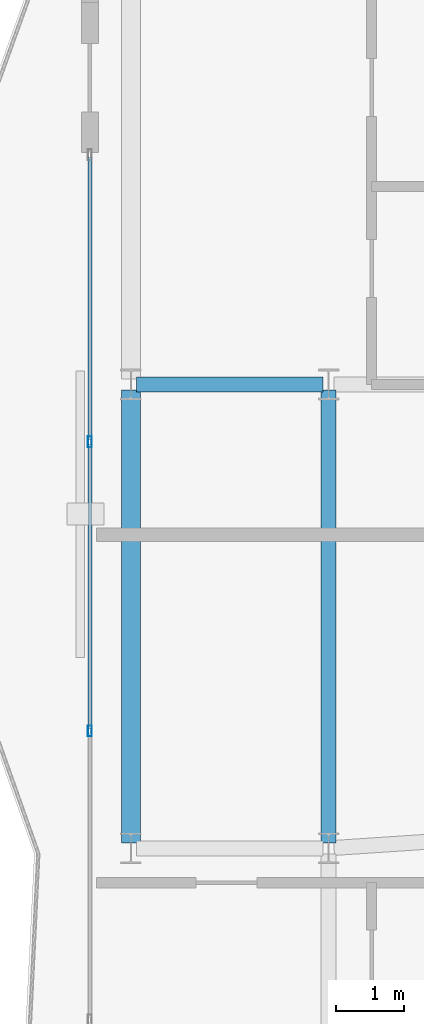
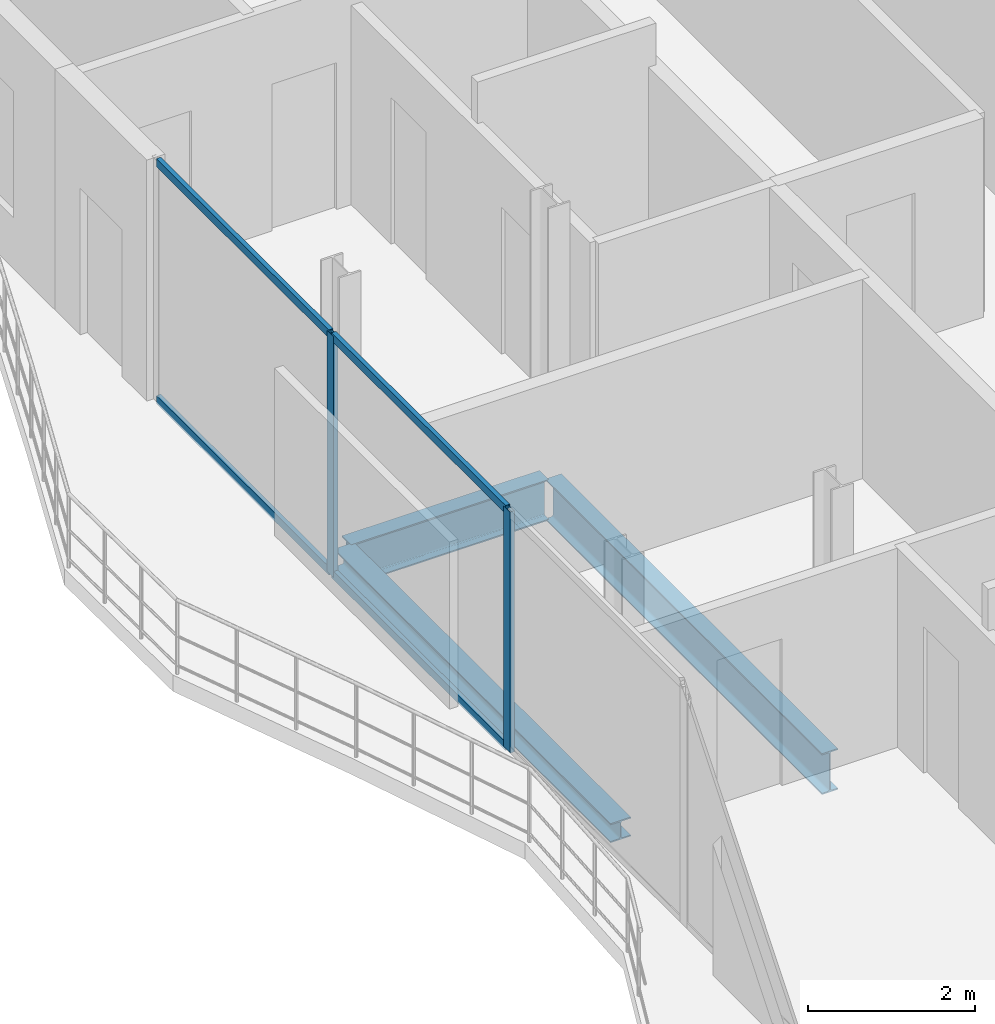
# One storey, part 10 of 22: 6 members, 3 beams, 1 element without a shape of its own.
"""IFC4 building model written with IfcOpenShell, lengths in metres."""

from ifc_helpers import new_model, si_unit, direction, frame, origin, origin_2d, place, context, subcontext, project, spatial, hollow_rectangle, i_section, extrude, material, layer, layer_set, material_profile, profile_set, type_object, element, aggregate, save


model = new_model("IFC4")

# Units and contexts
model_context = context("Model", 3, precision=1e-05, world=origin(), true_north=direction((0.0, 1.0)))
body_context = subcontext(model_context, "Body", "Model", "MODEL_VIEW")
ifc_project = project(units=[si_unit("LENGTHUNIT", "METRE"), si_unit("AREAUNIT", "SQUARE_METRE"), si_unit("VOLUMEUNIT", "CUBIC_METRE"), si_unit("PLANEANGLEUNIT", "RADIAN"), si_unit("MASSUNIT", "GRAM", prefix="KILO")], contexts=[model_context])

# Site, building, storey
site_placement = place(None, origin())
site = spatial("IfcSite", under=ifc_project, at=site_placement, CompositionType="ELEMENT")
building_placement = place(site_placement, origin())
building = spatial("IfcBuilding", under=site, at=building_placement, Name="Catumbela Crestline Tower", CompositionType="ELEMENT")
storey_placement = place(building_placement, frame((0.0, 0.0, 226.0)))
storey = spatial("IfcBuildingStorey", under=building, at=storey_placement, Name="L58", CompositionType="ELEMENT", Elevation=226.0)

# Beams
ifc_material_1 = material(Name="Structural steel S355J2", Category="steel")
ifc_material_profile_1 = material_profile(ifc_material_1, i_section(OverallWidth=0.22, OverallDepth=0.6, WebThickness=0.012, FlangeThickness=0.019, FilletRadius=0.024, at=origin_2d()), Name="IPE 600")
ifc_profile_set_1 = profile_set([ifc_material_profile_1], Name="Structural steel S355J2")
beam_type_1 = type_object("IfcBeamType", Name="BG-IPE600", PredefinedType="BEAM", material=ifc_profile_set_1)
beam_1_placement = place(storey_placement, frame((5.68, 30.8, -0.56), z_axis=(1.0, 0.0, 0.0), x_axis=(0.0, 1.0, 0.0)))
element("IfcBeam", 1, at=beam_1_placement, inside=storey, type_object=beam_type_1, Name="L58 Beam BM-L58-M06", PredefinedType="BEAM", context=body_context, shape_type="SweptSolid", body=[
    extrude(i_section(OverallWidth=0.22, OverallDepth=0.6, WebThickness=0.012, FlangeThickness=0.019, FilletRadius=0.024, at=origin_2d()), origin(), (0.0, 0.0, 1.0), 2.74),
])
beam_2_placement = place(storey_placement, frame((8.5, 24.08, -0.56), z_axis=(0.0, 1.0, 0.0), x_axis=(-1.0, 0.0, 0.0)))
element("IfcBeam", 2, at=beam_2_placement, inside=storey, type_object=beam_type_1, Name="L58 Beam BM-L58-SN14", PredefinedType="BEAM", context=body_context, shape_type="SweptSolid", body=[
    extrude(i_section(OverallWidth=0.22, OverallDepth=0.6, WebThickness=0.012, FlangeThickness=0.019, FilletRadius=0.024, at=origin_2d()), origin(), (0.0, 0.0, 1.0), 6.64),
])

# Curtain wall, members
ifc_material_2 = material(Name="Aluminium alloy AW-6060-T66", Category="aluminium")
ifc_layer = layer(ifc_material_2, 0.18, Name="Aluminium alloy AW-6060-T66")
ifc_layer_set = layer_set([ifc_layer], Name="Aluminium alloy AW-6060-T66")
curtain_wall_type = type_object("IfcCurtainWallType", Name="CWU-Z4", PredefinedType="USERDEFINED", material=ifc_layer_set)
curtain_wall_placement = place(storey_placement, origin())
curtain_wall = element("IfcCurtainWall", 3, at=curtain_wall_placement, inside=storey, type_object=curtain_wall_type, Name="L58 Unitised Curtain Wall CW-L58-E9S2", ObjectType="UNITISED", PredefinedType="USERDEFINED")
ifc_material_profile_2 = material_profile(ifc_material_2, hollow_rectangle(XDim=0.06, YDim=0.16, WallThickness=0.004, at=origin_2d()), Name="ALU 160x60x4")
ifc_profile_set_2 = profile_set([ifc_material_profile_2], Name="Aluminium alloy AW-6060-T66")
member_type_1 = type_object("IfcMemberType", Name="MUL-160X60", PredefinedType="MULLION", material=ifc_profile_set_2)
member_1_placement = place(storey_placement, frame((5.0, 29.96, 0.0), z_axis=(0.0, 0.0, 1.0), x_axis=(1.0, 0.0, 0.0)))
member_1 = element("IfcMember", 4, at=member_1_placement, type_object=member_type_1, Name="CWU-Z4 mullion 2", PredefinedType="MULLION", context=body_context, shape_type="SweptSolid", body=[
    extrude(hollow_rectangle(XDim=0.06, YDim=0.16, WallThickness=0.004, at=origin_2d()), origin(), (0.0, 0.0, 1.0), 3.53),
])
member_2_placement = place(storey_placement, frame((5.0, 25.72, 0.0), z_axis=(0.0, 0.0, 1.0), x_axis=(1.0, 0.0, 0.0)))
member_2 = element("IfcMember", 5, at=member_2_placement, type_object=member_type_1, Name="CWU-Z4 mullion 3", PredefinedType="MULLION", context=body_context, shape_type="SweptSolid", body=[
    extrude(hollow_rectangle(XDim=0.06, YDim=0.16, WallThickness=0.004, at=origin_2d()), origin(), (0.0, 0.0, 1.0), 3.53),
])

# Beam
ifc_material_profile_3 = material_profile(ifc_material_1, i_section(OverallWidth=0.28, OverallDepth=0.28, WebThickness=0.0105, FlangeThickness=0.018, FilletRadius=0.024, at=origin_2d()), Name="HEB 280")
ifc_profile_set_3 = profile_set([ifc_material_profile_3], Name="Structural steel S355J2")
beam_type_2 = type_object("IfcBeamType", Name="BS-HEB280", PredefinedType="SPANDREL", material=ifc_profile_set_3)
beam_3_placement = place(storey_placement, frame((5.6, 24.08, -0.4), z_axis=(0.0, 1.0, 0.0), x_axis=(-1.0, 0.0, 0.0)))
element("IfcBeam", 6, at=beam_3_placement, inside=storey, type_object=beam_type_2, Name="L58 Spandrel SP-L58-SN12", PredefinedType="SPANDREL", context=body_context, shape_type="SweptSolid", body=[
    extrude(i_section(OverallWidth=0.28, OverallDepth=0.28, WebThickness=0.0105, FlangeThickness=0.018, FilletRadius=0.024, at=origin_2d()), origin(), (0.0, 0.0, 1.0), 6.64),
])

# Member
ifc_material_profile_4 = material_profile(ifc_material_2, hollow_rectangle(XDim=0.06, YDim=0.12, WallThickness=0.0035, at=origin_2d()), Name="ALU 120x60x3.5")
ifc_profile_set_4 = profile_set([ifc_material_profile_4], Name="Aluminium alloy AW-6060-T66")
member_type_2 = type_object("IfcMemberType", Name="TRN-120X60", PredefinedType="USERDEFINED", material=ifc_profile_set_4)
member_3_placement = place(storey_placement, frame((5.0, 34.135, 0.03), z_axis=(0.0, -1.0, 0.0), x_axis=(1.0, 0.0, 0.0)))
member_3 = element("IfcMember", 7, at=member_3_placement, type_object=member_type_2, Name="CWU-Z4 transom 1.1", ObjectType="TRANSOM", PredefinedType="USERDEFINED", context=body_context, shape_type="SweptSolid", body=[
    extrude(hollow_rectangle(XDim=0.06, YDim=0.12, WallThickness=0.0035, at=origin_2d()), origin(), (0.0, 0.0, 1.0), 4.1425),
])

member_4_placement = place(storey_placement, frame((5.0, 34.135, 3.5), z_axis=(0.0, -1.0, 0.0), x_axis=(1.0, 0.0, 0.0)))
member_4 = element("IfcMember", 8, at=member_4_placement, type_object=member_type_2, Name="CWU-Z4 transom 1.2", ObjectType="TRANSOM", PredefinedType="USERDEFINED", context=body_context, shape_type="SweptSolid", body=[
    extrude(hollow_rectangle(XDim=0.06, YDim=0.12, WallThickness=0.0035, at=origin_2d()), origin(), (0.0, 0.0, 1.0), 4.1425),
])

member_5_placement = place(storey_placement, frame((5.0, 29.9275, 0.03), z_axis=(0.0, -1.0, 0.0), x_axis=(1.0, 0.0, 0.0)))
member_5 = element("IfcMember", 9, at=member_5_placement, type_object=member_type_2, Name="CWU-Z4 transom 2.1", ObjectType="TRANSOM", PredefinedType="USERDEFINED", context=body_context, shape_type="SweptSolid", body=[
    extrude(hollow_rectangle(XDim=0.06, YDim=0.12, WallThickness=0.0035, at=origin_2d()), origin(), (0.0, 0.0, 1.0), 4.175),
])

member_6_placement = place(storey_placement, frame((5.0, 29.9275, 3.5), z_axis=(0.0, -1.0, 0.0), x_axis=(1.0, 0.0, 0.0)))
member_6 = element("IfcMember", 10, at=member_6_placement, type_object=member_type_2, Name="CWU-Z4 transom 2.2", ObjectType="TRANSOM", PredefinedType="USERDEFINED", context=body_context, shape_type="SweptSolid", body=[
    extrude(hollow_rectangle(XDim=0.06, YDim=0.12, WallThickness=0.0035, at=origin_2d()), origin(), (0.0, 0.0, 1.0), 4.175),
])

aggregate(curtain_wall, [member_1, member_2, member_3, member_4, member_5, member_6])

save(model, "model.ifc")
